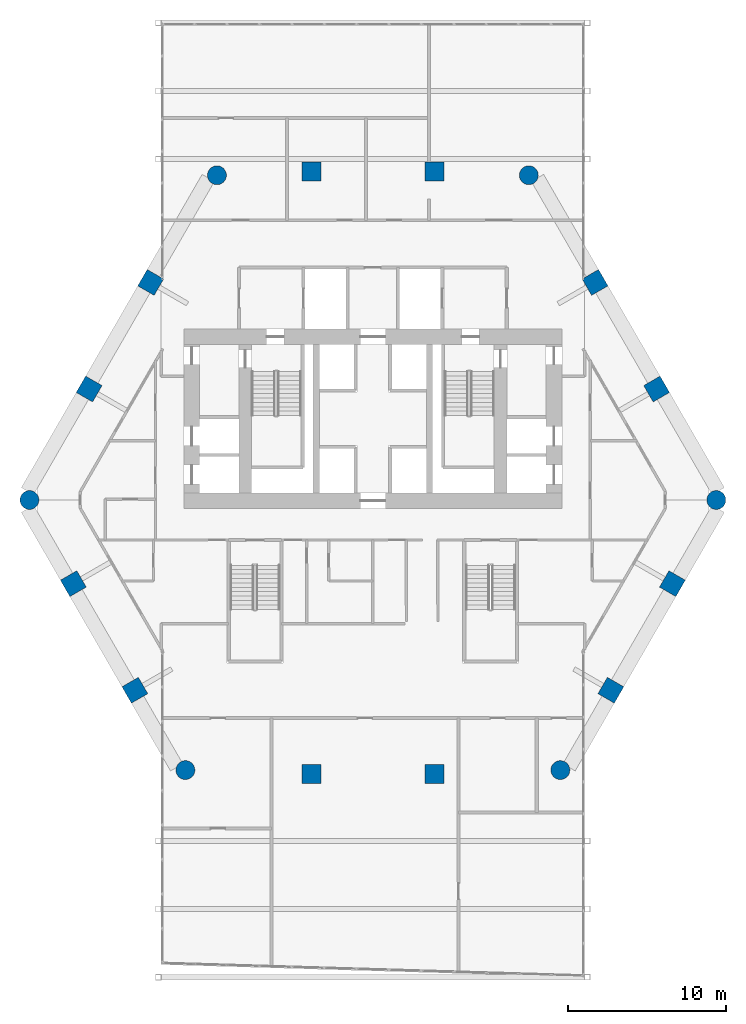
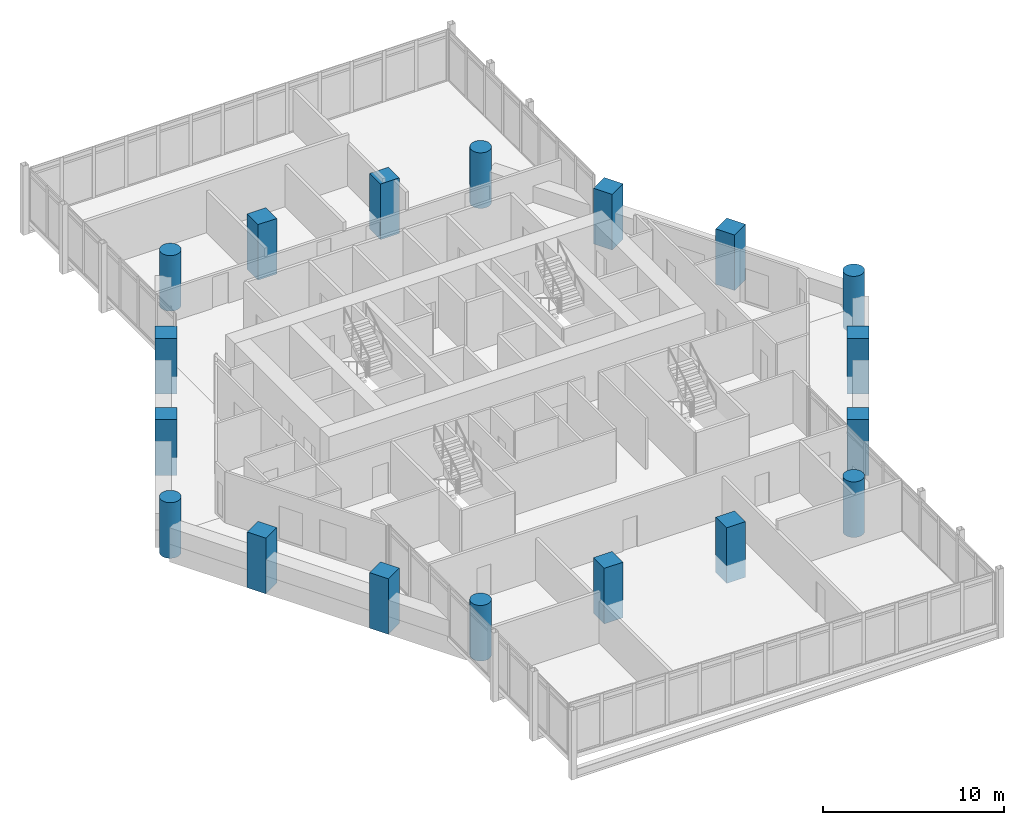
# One storey, part 1 of 28: 18 columns.
"""IFC4 building model written with IfcOpenShell, lengths in metres."""

from ifc_helpers import new_model, si_unit, direction, frame, origin, origin_2d, place, context, subcontext, project, spatial, rectangle, circle, extrude, material, material_profile, profile_set, type_object, element, save


model = new_model("IFC4")

# Units and contexts
model_context = context("Model", 3, precision=1e-05, world=origin(), true_north=direction((0.0, 1.0)))
body_context = subcontext(model_context, "Body", "Model", "MODEL_VIEW")
ifc_project = project(units=[si_unit("LENGTHUNIT", "METRE"), si_unit("AREAUNIT", "SQUARE_METRE"), si_unit("VOLUMEUNIT", "CUBIC_METRE"), si_unit("PLANEANGLEUNIT", "RADIAN"), si_unit("MASSUNIT", "GRAM", prefix="KILO")], contexts=[model_context])

# Site, building, storey
site_placement = place(None, origin())
site = spatial("IfcSite", under=ifc_project, at=site_placement, CompositionType="ELEMENT")
building_placement = place(site_placement, origin())
building = spatial("IfcBuilding", under=site, at=building_placement, Name="Ostrander Bayou Hotel Tower", CompositionType="ELEMENT")
storey_placement = place(building_placement, frame((0.0, 0.0, 142.25)))
storey = spatial("IfcBuildingStorey", under=building, at=storey_placement, Name="L35", CompositionType="ELEMENT", Elevation=142.25)

# Columns
ifc_material_1 = material(Name="Concrete f'c 70 MPa", Category="concrete")
ifc_material_profile_1 = material_profile(ifc_material_1, circle(Radius=0.60009765625, at=origin_2d()))
ifc_profile_set_1 = profile_set([ifc_material_profile_1], Name="Concrete f'c 70 MPa")
column_type_1 = type_object("IfcColumnType", Name="C3 round column 1200 mm f'c 70 MPa", PredefinedType="COLUMN", material=ifc_profile_set_1)
for number, where, z_axis, x_axis, name in (
    (1, (-9.899169921875, 19.458740234375, -1.199951171875), (0.0, 0.0, 1.0), (1.0, 0.0, 0.0), "C3 L35 K0"),
    (2, (-21.801513671875, -1.156494140625, -1.199951171875), (0.0, 0.0, 1.0), (1.0, 0.0, 0.0), "C3 L35 K1"),
    (3, (-11.90234375, -18.302490234375, -1.199951171875), (0.0, 0.0, 1.0), (1.0, 0.0, 0.0), "C3 L35 K2"),
    (4, (11.90234375, -18.302490234375, -1.199951171875), (0.0, 0.0, 1.0), (1.0, 0.0, 0.0), "C3 L35 K3"),
    (5, (21.801513671875, -1.156494140625, -1.199951171875), (0.0, 0.0, 1.0), (1.0, 0.0, 0.0), "C3 L35 K4"),
    (6, (9.899169921875, 19.458740234375, -1.199951171875), (0.0, 0.0, 1.0), (1.0, 0.0, 0.0), "C3 L35 K5"),
):
    element("IfcColumn", number, at=place(storey_placement, frame(where, z_axis=z_axis, x_axis=x_axis)), inside=storey, type_object=column_type_1, Name=name, PredefinedType="COLUMN", context=body_context, shape_type="SweptSolid", body=[
        extrude(circle(Radius=0.60009765625, at=origin_2d()), origin(), (0.0, 0.0, 1.0), 3.75),
    ])
ifc_material_2 = material(Name="Concrete f'c 70 MPa", Category="concrete")
ifc_material_profile_2 = material_profile(ifc_material_2, rectangle(XDim=1.199951171875, YDim=1.199951171875, at=origin_2d()))
ifc_profile_set_2 = profile_set([ifc_material_profile_2], Name="Concrete f'c 70 MPa")
column_type_2 = type_object("IfcColumnType", Name="C4 square column 1200 x 1200 mm f'c 70 MPa", PredefinedType="COLUMN", material=ifc_profile_set_2)
for number, where, z_axis, x_axis, name in (
    (7, (3.90673828125, 19.699951171875, -1.199951171875), (0.0, 0.0, 1.0), (1.0, 0.0, 0.0), "C4 L35 N1"),
    (8, (-3.90673828125, 19.699951171875, -1.199951171875), (0.0, 0.0, 1.0), (1.0, 0.0, 0.0), "C4 L35 N2"),
    (9, (-14.105712890625, 12.655029296875, -1.199951171875), (0.0, 0.0, 1.0), (0.5, 0.866025403784, 0.0), "C4 L35 NW1"),
    (10, (-18.012451171875, 5.888427734375, -1.199951171875), (0.0, 0.0, 1.0), (0.5, 0.866025403784, 0.0), "C4 L35 NW2"),
    (11, (-19.01416015625, -6.466796875, -1.199951171875), (0.0, 0.0, 1.0), (-0.5, 0.866025403784, 0.0), "C4 L35 SW1"),
    (12, (-15.107421875, -13.2333984375, -1.199951171875), (0.0, 0.0, 1.0), (-0.5, 0.866025403784, 0.0), "C4 L35 SW2"),
    (13, (-3.90673828125, -18.54345703125, -1.199951171875), (0.0, 0.0, 1.0), (-1.0, 0.0, 0.0), "C4 L35 S1"),
    (14, (3.90673828125, -18.54345703125, -1.199951171875), (0.0, 0.0, 1.0), (-1.0, 0.0, 0.0), "C4 L35 S2"),
    (15, (15.107421875, -13.2333984375, -1.199951171875), (0.0, 0.0, 1.0), (-0.5, -0.866025403784, 0.0), "C4 L35 SE1"),
    (16, (19.01416015625, -6.466796875, -1.199951171875), (0.0, 0.0, 1.0), (-0.5, -0.866025403784, 0.0), "C4 L35 SE2"),
    (17, (18.012451171875, 5.888427734375, -1.199951171875), (0.0, 0.0, 1.0), (0.5, -0.866025403784, 0.0), "C4 L35 NE1"),
    (18, (14.105712890625, 12.655029296875, -1.199951171875), (0.0, 0.0, 1.0), (0.5, -0.866025403784, 0.0), "C4 L35 NE2"),
):
    element("IfcColumn", number, at=place(storey_placement, frame(where, z_axis=z_axis, x_axis=x_axis)), inside=storey, type_object=column_type_2, Name=name, PredefinedType="COLUMN", context=body_context, shape_type="SweptSolid", body=[
        extrude(rectangle(XDim=1.199951171875, YDim=1.199951171875, at=origin_2d()), origin(), (0.0, 0.0, 1.0), 3.75),
    ])

save(model, "model.ifc")
